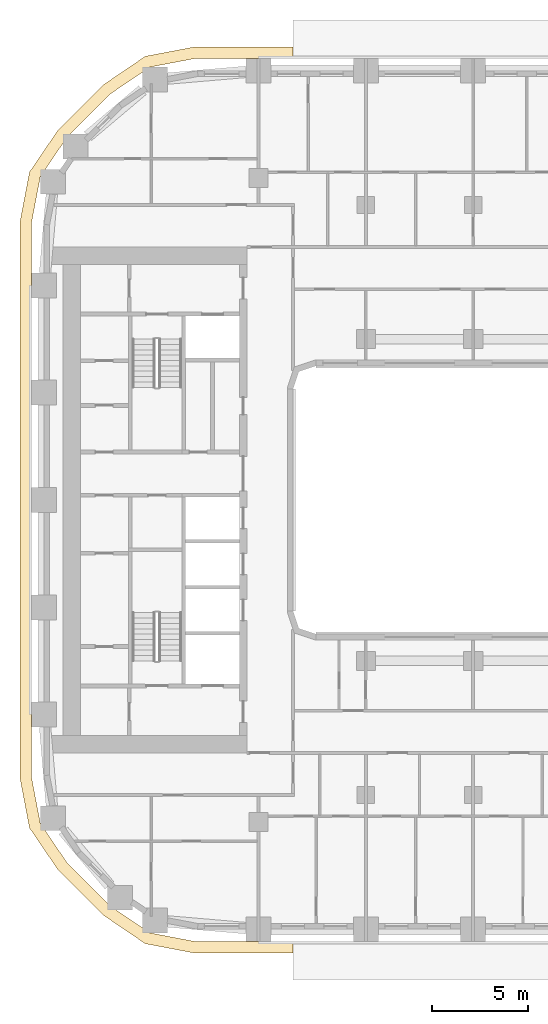
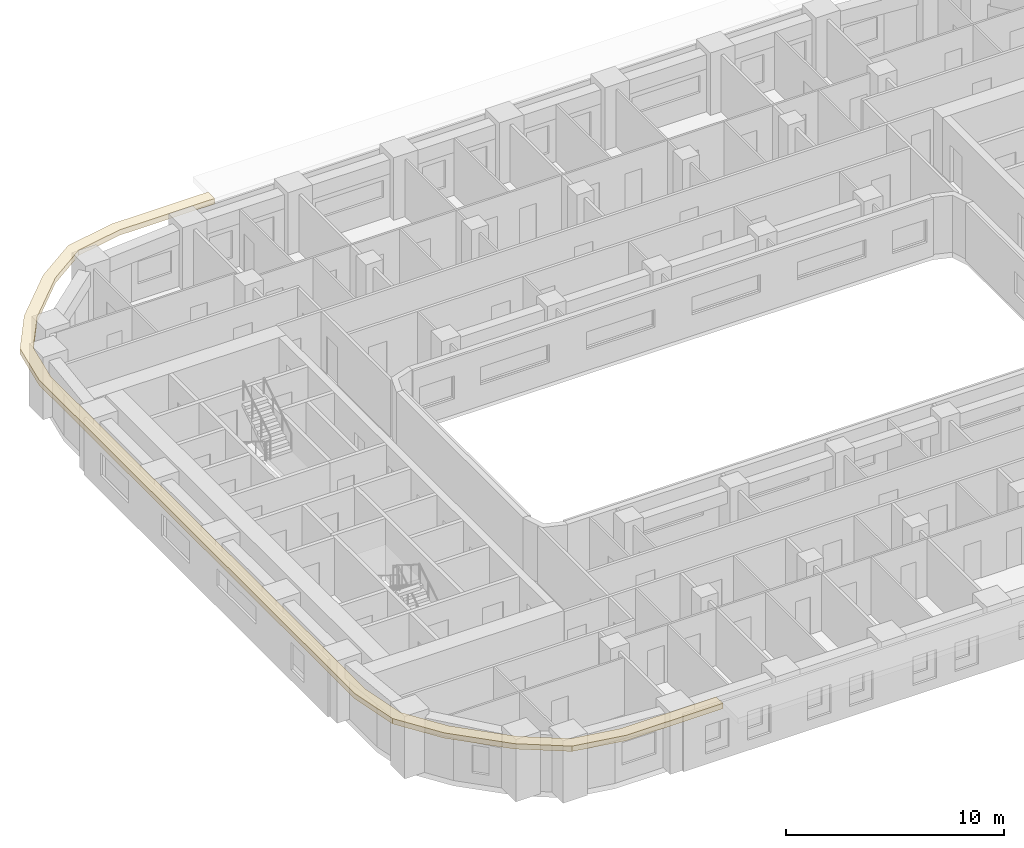
# One storey, part 15 of 22: 1 covering.
"""IFC4 building model written with IfcOpenShell, lengths in metres."""

from ifc_helpers import new_model, si_unit, direction, frame, origin, place, context, subcontext, project, spatial, polyline, outline, extrude, material, layer, layer_set, type_object, element, save


model = new_model("IFC4")

# Units and contexts
model_context = context("Model", 3, precision=1e-05, world=origin(), true_north=direction((0.0, 1.0)))
body_context = subcontext(model_context, "Body", "Model", "MODEL_VIEW")
ifc_project = project(units=[si_unit("LENGTHUNIT", "METRE"), si_unit("AREAUNIT", "SQUARE_METRE"), si_unit("VOLUMEUNIT", "CUBIC_METRE"), si_unit("PLANEANGLEUNIT", "RADIAN"), si_unit("MASSUNIT", "GRAM", prefix="KILO")], contexts=[model_context])

# Site, building, storey
site_placement = place(None, origin())
site = spatial("IfcSite", under=ifc_project, at=site_placement, CompositionType="ELEMENT")
building_placement = place(site_placement, origin())
building = spatial("IfcBuilding", under=site, at=building_placement, Name="Kiln Ring Residences", CompositionType="ELEMENT")
storey_placement = place(building_placement, frame((0.0, 0.0, 90.300048828125)))
storey = spatial("IfcBuildingStorey", under=building, at=storey_placement, Name="L22", CompositionType="ELEMENT", Elevation=90.300048828125)

# Covering
ifc_material = material(Name="Black powder-coated steel", Category="steel")
ifc_layer = layer(ifc_material, 0.300048828125)
ifc_layer_set = layer_set([ifc_layer], Name="SUNSHADE FIN 600")
covering_type = type_object("IfcCoveringType", Name="SUNSHADE FIN 600", PredefinedType="CLADDING", material=ifc_layer_set)
covering_placement = place(storey_placement, frame((0.0, 0.0, 3.199951171875)))
element("IfcCovering", 1, at=covering_placement, inside=storey, type_object=covering_type, Name="SUNSHADE FIN L22", PredefinedType="CLADDING", context=body_context, shape_type="SweptSolid", body=[
    extrude(outline(polyline([(-29.25, -14.51806640625), (-28.755126953125, -17.11279296875), (-27.2705078125, -19.29736328125), (-24.8974609375, -21.67041015625), (-22.712890625, -23.155029296875), (-20.1181640625, -23.64990234375), (-15.0, -23.64990234375), (-15.0, -23.050048828125), (-20.061279296875, -23.050048828125), (-22.478271484375, -22.589111328125), (-24.51318359375, -21.2060546875), (-26.805908203125, -18.9130859375), (-28.18896484375, -16.87841796875), (-28.64990234375, -14.46142578125), (-28.64990234375, 14.46142578125), (-28.18896484375, 16.87841796875), (-26.805908203125, 18.9130859375), (-24.51318359375, 21.2060546875), (-22.478271484375, 22.589111328125), (-20.061279296875, 23.050048828125), (-15.0, 23.050048828125), (-15.0, 23.64990234375), (-20.1181640625, 23.64990234375), (-22.712890625, 23.155029296875), (-24.8974609375, 21.67041015625), (-27.2705078125, 19.29736328125), (-28.755126953125, 17.11279296875), (-29.25, 14.51806640625), (-29.25, -14.51806640625)])), origin(), (0.0, 0.0, 1.0), 0.300048828125),
])

save(model, "model.ifc")
